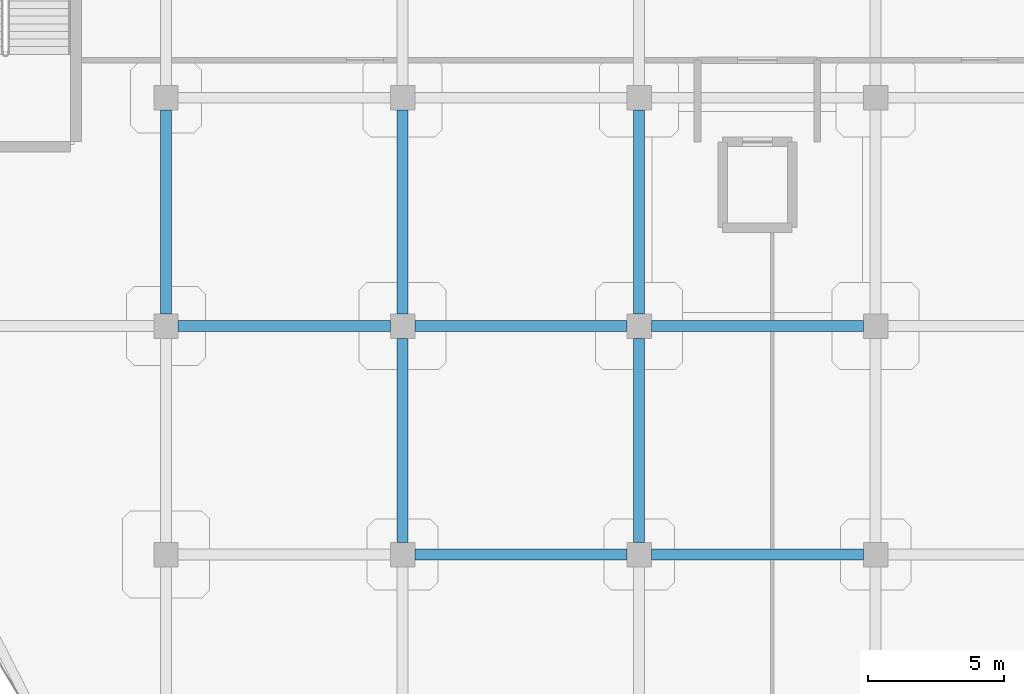
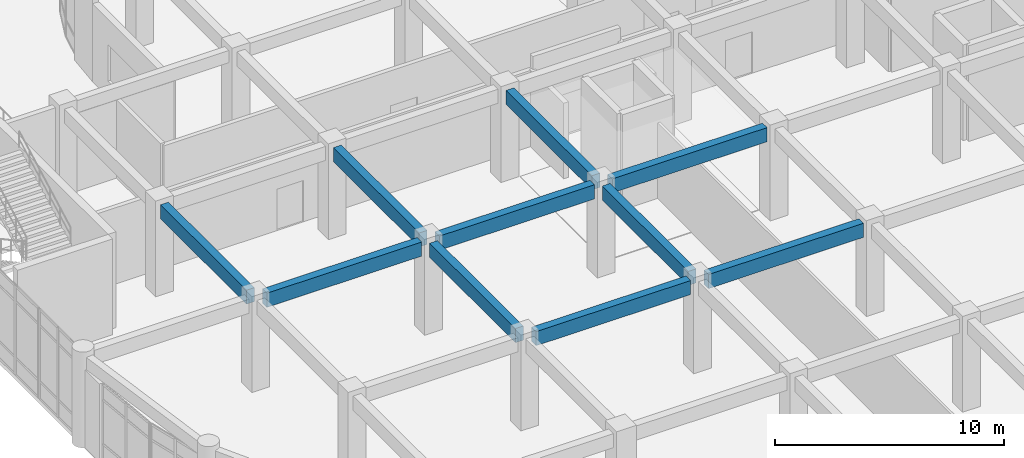
# One storey, part 11 of 120: 10 beams.
"""IFC4 building model written with IfcOpenShell, lengths in metres."""

from ifc_helpers import new_model, si_unit, derived_unit, direction, frame, origin, origin_2d, place, context, subcontext, project, spatial, rectangle, extrude, material, material_profile, profile_set, type_object, element, save


model = new_model("IFC4")

# Units and contexts
model_context = context("Model", 3, precision=1e-05, world=origin(), true_north=direction((0.0, 1.0)))
body_context = subcontext(model_context, "Body", "Model", "MODEL_VIEW")
ifc_project = project(units=[si_unit("LENGTHUNIT", "METRE"), si_unit("AREAUNIT", "SQUARE_METRE"), si_unit("VOLUMEUNIT", "CUBIC_METRE"), si_unit("PLANEANGLEUNIT", "RADIAN"), si_unit("MASSUNIT", "GRAM", prefix="KILO"), derived_unit("THERMALTRANSMITTANCEUNIT", [(si_unit("MASSUNIT", "GRAM", prefix="KILO"), 1), (si_unit("TIMEUNIT", "SECOND"), -3), (si_unit("THERMODYNAMICTEMPERATUREUNIT", "KELVIN"), -1)])], contexts=[model_context])

# Site, building, storey
site_placement = place(None, origin())
site = spatial("IfcSite", under=ifc_project, at=site_placement, CompositionType="ELEMENT")
building_placement = place(site_placement, origin())
building = spatial("IfcBuilding", under=site, at=building_placement, Name="Qinzheling Arcade Emporium", CompositionType="ELEMENT")
storey_placement = place(building_placement, frame((0.0, 0.0, 11.39990234375)))
storey = spatial("IfcBuildingStorey", under=building, at=storey_placement, Name="L03", CompositionType="ELEMENT", Elevation=11.39990234375)

# Beams
ifc_material = material(Name="Concrete C40", Category="concrete")
ifc_material_profile = material_profile(ifc_material, rectangle(XDim=0.39990234375, YDim=0.75, at=origin_2d()), Name="RC 400x750", Category="concrete")
ifc_profile_set = profile_set([ifc_material_profile], Name="Concrete C40")
beam_type = type_object("IfcBeamType", Name="RC Interior Tie Beam 400x750 C40", PredefinedType="BEAM", material=ifc_profile_set)
beam_1_placement = place(storey_placement, frame((17.85009765625, 16.800048828125, 4.445068359375), z_axis=(1.0, 0.0, 0.0), x_axis=(0.0, 1.0, 0.0)))
element("IfcBeam", 1, at=beam_1_placement, inside=storey, type_object=beam_type, Name="Beam BM-L03-X-C-3", PredefinedType="BEAM", context=body_context, shape_type="SweptSolid", body=[
    extrude(rectangle(XDim=0.39990234375, YDim=0.75, at=origin_2d()), origin(), (0.0, 0.0, 1.0), 7.7998046875),
])
for number, where, z_axis, x_axis, name in (
    (2, (26.550048828125, 16.800048828125, 4.445068359375), (1.0, 0.0, 0.0), (0.0, 1.0, 0.0), "Beam BM-L03-X-C-4"),
    (3, (9.14990234375, 25.199951171875, 4.445068359375), (1.0, 0.0, 0.0), (0.0, 1.0, 0.0), "Beam BM-L03-X-D-2"),
):
    element("IfcBeam", number, at=place(storey_placement, frame(where, z_axis=z_axis, x_axis=x_axis)), inside=storey, type_object=beam_type, Name=name, PredefinedType="BEAM", context=body_context, shape_type="SweptSolid", body=[
        extrude(rectangle(XDim=0.39990234375, YDim=0.75, at=origin_2d()), origin(), (0.0, 0.0, 1.0), 7.800048828125),
    ])
beam_2_placement = place(storey_placement, frame((17.85009765625, 25.199951171875, 4.445068359375), z_axis=(1.0, 0.0, 0.0), x_axis=(0.0, 1.0, 0.0)))
element("IfcBeam", 4, at=beam_2_placement, inside=storey, type_object=beam_type, Name="Beam BM-L03-X-D-3", PredefinedType="BEAM", context=body_context, shape_type="SweptSolid", body=[
    extrude(rectangle(XDim=0.39990234375, YDim=0.75, at=origin_2d()), origin(), (0.0, 0.0, 1.0), 7.7998046875),
])
beam_3_placement = place(storey_placement, frame((26.550048828125, 25.199951171875, 4.445068359375), z_axis=(1.0, 0.0, 0.0), x_axis=(0.0, 1.0, 0.0)))
element("IfcBeam", 5, at=beam_3_placement, inside=storey, type_object=beam_type, Name="Beam BM-L03-X-D-4", PredefinedType="BEAM", context=body_context, shape_type="SweptSolid", body=[
    extrude(rectangle(XDim=0.39990234375, YDim=0.75, at=origin_2d()), origin(), (0.0, 0.0, 1.0), 7.800048828125),
])
for number, where, z_axis, x_axis, name in (
    (6, (8.699951171875, 25.64990234375, 4.445068359375), (0.0, 1.0, 0.0), (-1.0, 0.0, 0.0), "Beam BM-L03-Y-2-D"),
    (7, (17.39990234375, 17.25, 4.445068359375), (0.0, 1.0, 0.0), (-1.0, 0.0, 0.0), "Beam BM-L03-Y-3-C"),
    (8, (17.39990234375, 25.64990234375, 4.445068359375), (0.0, 1.0, 0.0), (-1.0, 0.0, 0.0), "Beam BM-L03-Y-3-D"),
    (9, (26.10009765625, 17.25, 4.445068359375), (0.0, 1.0, 0.0), (-1.0, 0.0, 0.0), "Beam BM-L03-Y-4-C"),
    (10, (26.10009765625, 25.64990234375, 4.445068359375), (0.0, 1.0, 0.0), (-1.0, 0.0, 0.0), "Beam BM-L03-Y-4-D"),
):
    element("IfcBeam", number, at=place(storey_placement, frame(where, z_axis=z_axis, x_axis=x_axis)), inside=storey, type_object=beam_type, Name=name, PredefinedType="BEAM", context=body_context, shape_type="SweptSolid", body=[
        extrude(rectangle(XDim=0.39990234375, YDim=0.75, at=origin_2d()), origin(), (0.0, 0.0, 1.0), 7.5),
    ])

save(model, "model.ifc")
